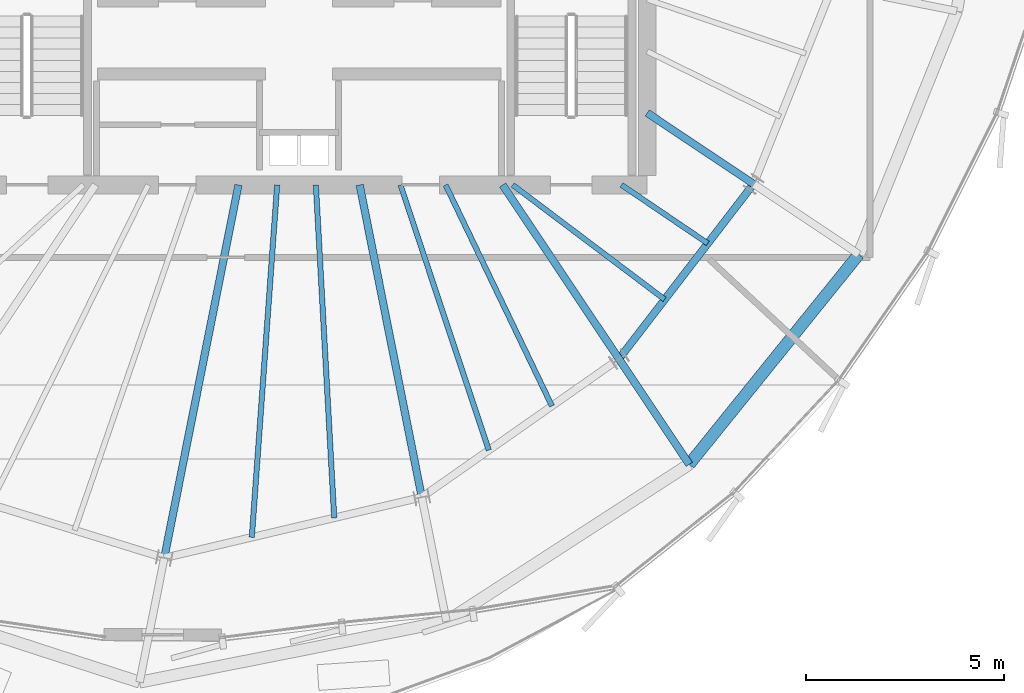
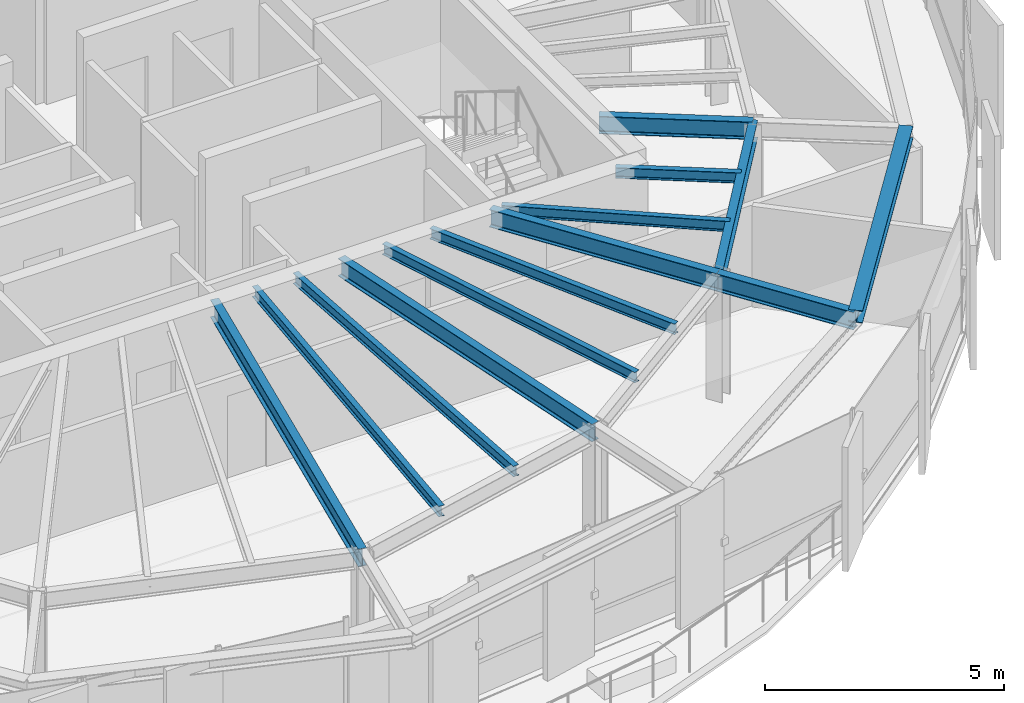
# One storey, part 8 of 32: 13 beams.
"""IFC4 building model written with IfcOpenShell, lengths in metres."""

from ifc_helpers import new_model, si_unit, direction, frame, origin, origin_2d, place, context, subcontext, project, spatial, i_section, extrude, source, transform, mapped, material, material_profile, profile_set, type_object, element, save


model = new_model("IFC4")

# Units and contexts
model_context = context("Model", 3, precision=1e-05, world=origin(), true_north=direction((0.0, 1.0)))
body_context = subcontext(model_context, "Body", "Model", "MODEL_VIEW")
ifc_project = project(units=[si_unit("LENGTHUNIT", "METRE"), si_unit("AREAUNIT", "SQUARE_METRE"), si_unit("VOLUMEUNIT", "CUBIC_METRE"), si_unit("PLANEANGLEUNIT", "RADIAN"), si_unit("MASSUNIT", "GRAM", prefix="KILO"), si_unit("THERMODYNAMICTEMPERATUREUNIT", "KELVIN")], contexts=[model_context])

# Site, building, storey
site_placement = place(None, origin())
site = spatial("IfcSite", under=ifc_project, at=site_placement, CompositionType="ELEMENT")
building_placement = place(site_placement, origin())
building = spatial("IfcBuilding", under=site, at=building_placement, Name="Kethvar Cultural Tower", CompositionType="ELEMENT")
storey_placement = place(building_placement, frame((0.0, 0.0, 273.25)))
storey = spatial("IfcBuildingStorey", under=building, at=storey_placement, Name="L72", CompositionType="ELEMENT", Elevation=273.25)

# Beams
ifc_material = material(Name="Steel S355J2", Category="steel")
ifc_material_profile_1 = material_profile(ifc_material, i_section(OverallWidth=0.18994140625, OverallDepth=0.449951171875, WebThickness=0.009521484375, FlangeThickness=0.0146484375, FilletRadius=0.02099609375, at=origin_2d()), Name="Steel S355J2 — IPE450")
ifc_profile_set_1 = profile_set([ifc_material_profile_1], Name="Steel S355J2 — IPE450")
beam_type_1 = type_object("IfcBeamType", Name="BM-IPE450", PredefinedType="BEAM", material=ifc_profile_set_1)
shared_shape_1 = source(origin(), body_context, "Body", "SweptSolid", [
    extrude(i_section(OverallWidth=0.18994140625, OverallDepth=0.449951171875, WebThickness=0.009521484375, FlangeThickness=0.0146484375, FilletRadius=0.02099609375, at=origin_2d()), origin(), (0.0, 0.0, 1.0), 3.199951171875),
])
beam_1_placement = place(storey_placement, frame((54.885009765625, 15.7001953125, 2.98291015625), z_axis=(0.555492222339, -0.83152173208, 0.0), x_axis=(0.83152173208, 0.555492222339, 0.0)))
element("IfcBeam", 1, at=beam_1_placement, inside=storey, type_object=beam_type_1, Name="L72 Perimeter Cantilever Beam RC-14", PredefinedType="BEAM", context=body_context, shape_type="MappedRepresentation", body=[
    mapped(shared_shape_1, transform((0.0, 0.0, 0.0), scale=1.0)),
])
shared_shape_2 = source(origin(), body_context, "Body", "SweptSolid", [
    extrude(i_section(OverallWidth=0.18994140625, OverallDepth=0.449951171875, WebThickness=0.009521484375, FlangeThickness=0.0146484375, FilletRadius=0.02099609375, at=origin_2d()), origin(), (0.0, 0.0, 1.0), 9.613525390625),
])
beam_2_placement = place(storey_placement, frame((45.268310546875, 20.10009765625, 2.98291015625), z_axis=(-0.195090428816, -0.980785259159, 0.0), x_axis=(0.980785259159, -0.195090428816, 0.0)))
element("IfcBeam", 2, at=beam_2_placement, inside=storey, type_object=beam_type_1, Name="L72 Primary Radial Beam RB-12", PredefinedType="BEAM", context=body_context, shape_type="MappedRepresentation", body=[
    mapped(shared_shape_2, transform((0.0, 0.0, 0.0), scale=1.0)),
])
shared_shape_3 = source(origin(), body_context, "Body", "SweptSolid", [
    extrude(i_section(OverallWidth=0.18994140625, OverallDepth=0.449951171875, WebThickness=0.009521484375, FlangeThickness=0.0146484375, FilletRadius=0.02099609375, at=origin_2d()), origin(), (0.0, 0.0, 1.0), 8.0478515625),
])
beam_3_placement = place(storey_placement, frame((48.33154296875, 20.10009765625, 2.98291015625), z_axis=(0.195089278796, -0.980785487912, 0.0), x_axis=(0.980785487912, 0.195089278796, 0.0)))
element("IfcBeam", 3, at=beam_3_placement, inside=storey, type_object=beam_type_1, Name="L72 Primary Radial Beam RB-13", PredefinedType="BEAM", context=body_context, shape_type="MappedRepresentation", body=[
    mapped(shared_shape_3, transform((0.0, 0.0, 0.0), scale=1.0)),
])
shared_shape_4 = source(origin(), body_context, "Body", "SweptSolid", [
    extrude(i_section(OverallWidth=0.18994140625, OverallDepth=0.449951171875, WebThickness=0.009521484375, FlangeThickness=0.0146484375, FilletRadius=0.02099609375, at=origin_2d()), origin(), (0.0, 0.0, 1.0), 5.291748046875),
])
beam_4_placement = place(storey_placement, frame((51.945068359375, 20.10009765625, 2.98291015625), z_axis=(0.555572931011, -0.831467809556, 0.0), x_axis=(0.831467809556, 0.555572931011, 0.0)))
element("IfcBeam", 4, at=beam_4_placement, inside=storey, type_object=beam_type_1, Name="L72 Primary Radial Beam RB-14", PredefinedType="BEAM", context=body_context, shape_type="MappedRepresentation", body=[
    mapped(shared_shape_4, transform((0.0, 0.0, 0.0), scale=1.0)),
])
shared_shape_5 = source(origin(), body_context, "Body", "SweptSolid", [
    extrude(i_section(OverallWidth=0.18994140625, OverallDepth=0.449951171875, WebThickness=0.009521484375, FlangeThickness=0.0146484375, FilletRadius=0.02099609375, at=origin_2d()), origin(), (0.0, 0.0, 1.0), 3.231689453125),
])
beam_5_placement = place(storey_placement, frame((55.60009765625, 21.919921875, 2.98291015625), z_axis=(0.831468708055, -0.55557158632, 0.0), x_axis=(0.55557158632, 0.831468708055, 0.0)))
element("IfcBeam", 5, at=beam_5_placement, inside=storey, type_object=beam_type_1, Name="L72 Primary Radial Beam RB-15", PredefinedType="BEAM", context=body_context, shape_type="MappedRepresentation", body=[
    mapped(shared_shape_5, transform((0.0, 0.0, 0.0), scale=1.0)),
])
ifc_material_profile_2 = material_profile(ifc_material, i_section(OverallWidth=0.135009765625, OverallDepth=0.27001953125, WebThickness=0.006591796875, FlangeThickness=0.01025390625, FilletRadius=0.014892578125, at=origin_2d()), Name="Steel S355J2 — IPE270")
ifc_profile_set_2 = profile_set([ifc_material_profile_2], Name="Steel S355J2 — IPE270")
beam_type_2 = type_object("IfcBeamType", Name="BM-J270", PredefinedType="JOIST", material=ifc_profile_set_2)
shared_shape_6 = source(origin(), body_context, "Body", "SweptSolid", [
    extrude(i_section(OverallWidth=0.135009765625, OverallDepth=0.27001953125, WebThickness=0.006591796875, FlangeThickness=0.01025390625, FilletRadius=0.014892578125, at=origin_2d()), origin(), (0.0, 0.0, 1.0), 8.9296875),
])
beam_6_placement = place(storey_placement, frame((46.246337890625, 20.10009765625, 3.072998046875), z_axis=(-0.071713352262, -0.99742528297, 0.0), x_axis=(0.99742528297, -0.071713352262, 0.0)))
element("IfcBeam", 6, at=beam_6_placement, inside=storey, type_object=beam_type_2, Name="L72 Composite Floor Joist J-12A", PredefinedType="JOIST", context=body_context, shape_type="MappedRepresentation", body=[
    mapped(shared_shape_6, transform((0.0, 0.0, 0.0), scale=1.0)),
])
shared_shape_7 = source(origin(), body_context, "Body", "SweptSolid", [
    extrude(i_section(OverallWidth=0.135009765625, OverallDepth=0.27001953125, WebThickness=0.006591796875, FlangeThickness=0.01025390625, FilletRadius=0.014892578125, at=origin_2d()), origin(), (0.0, 0.0, 1.0), 8.427978515625),
])
beam_7_placement = place(storey_placement, frame((47.224609375, 20.10009765625, 3.072998046875), z_axis=(0.055067321535, -0.998482643865, 0.0), x_axis=(0.998482643865, 0.055067321535, 0.0)))
element("IfcBeam", 7, at=beam_7_placement, inside=storey, type_object=beam_type_2, Name="L72 Composite Floor Joist J-12B", PredefinedType="JOIST", context=body_context, shape_type="MappedRepresentation", body=[
    mapped(shared_shape_7, transform((0.0, 0.0, 0.0), scale=1.0)),
])
shared_shape_8 = source(origin(), body_context, "Body", "SweptSolid", [
    extrude(i_section(OverallWidth=0.135009765625, OverallDepth=0.27001953125, WebThickness=0.006591796875, FlangeThickness=0.01025390625, FilletRadius=0.014892578125, at=origin_2d()), origin(), (0.0, 0.0, 1.0), 7.0673828125),
])
beam_8_placement = place(storey_placement, frame((49.363525390625, 20.10009765625, 3.072998046875), z_axis=(0.315875389768, -0.948800684095, 0.0), x_axis=(0.948800684095, 0.315875389768, 0.0)))
element("IfcBeam", 8, at=beam_8_placement, inside=storey, type_object=beam_type_2, Name="L72 Composite Floor Joist J-13A", PredefinedType="JOIST", context=body_context, shape_type="MappedRepresentation", body=[
    mapped(shared_shape_8, transform((0.0, 0.0, 0.0), scale=1.0)),
])
shared_shape_9 = source(origin(), body_context, "Body", "SweptSolid", [
    extrude(i_section(OverallWidth=0.135009765625, OverallDepth=0.27001953125, WebThickness=0.006591796875, FlangeThickness=0.01025390625, FilletRadius=0.014892578125, at=origin_2d()), origin(), (0.0, 0.0, 1.0), 6.2001953125),
])
beam_9_placement = place(storey_placement, frame((50.50341796875, 20.10009765625, 3.072998046875), z_axis=(0.433410678328, -0.901196529017, 0.0), x_axis=(0.901196529017, 0.433410678328, 0.0)))
element("IfcBeam", 9, at=beam_9_placement, inside=storey, type_object=beam_type_2, Name="L72 Composite Floor Joist J-13B", PredefinedType="JOIST", context=body_context, shape_type="MappedRepresentation", body=[
    mapped(shared_shape_9, transform((0.0, 0.0, 0.0), scale=1.0)),
])
shared_shape_10 = source(origin(), body_context, "Body", "SweptSolid", [
    extrude(i_section(OverallWidth=0.18994140625, OverallDepth=0.449951171875, WebThickness=0.009521484375, FlangeThickness=0.0146484375, FilletRadius=0.02099609375, at=origin_2d()), origin(), (0.0, 0.0, 1.0), 5.5810546875),
])
beam_10_placement = place(storey_placement, frame((54.885009765625, 15.7001953125, 2.98291015625), z_axis=(0.60957334008, 0.79272967843, 0.0), x_axis=(-0.79272967843, 0.60957334008, 0.0)))
element("IfcBeam", 10, at=beam_10_placement, inside=storey, type_object=beam_type_1, Name="L72 Column Ring Tie Beam CR-14", PredefinedType="BEAM", context=body_context, shape_type="MappedRepresentation", body=[
    mapped(shared_shape_10, transform((0.0, 0.0, 0.0), scale=1.0)),
])
ifc_material_profile_3 = material_profile(ifc_material, i_section(OverallWidth=0.300048828125, OverallDepth=0.320068359375, WebThickness=0.011474609375, FlangeThickness=0.0205078125, FilletRadius=0.027099609375, at=origin_2d()), Name="Steel S355J2 — HEB320")
ifc_profile_set_3 = profile_set([ifc_material_profile_3], Name="Steel S355J2 — HEB320")
beam_type_3 = type_object("IfcBeamType", Name="BM-SP320", PredefinedType="SPANDREL", material=ifc_profile_set_3)
shared_shape_11 = source(origin(), body_context, "Body", "SweptSolid", [
    extrude(i_section(OverallWidth=0.300048828125, OverallDepth=0.320068359375, WebThickness=0.011474609375, FlangeThickness=0.0205078125, FilletRadius=0.027099609375, at=origin_2d()), origin(), (0.0, 0.0, 1.0), 6.8212890625),
])
beam_11_placement = place(storey_placement, frame((56.66259765625, 13.039306640625, 3.048095703125), z_axis=(0.628197971595, 0.778053538315, 0.0), x_axis=(-0.778053538315, 0.628197971595, 0.0)))
element("IfcBeam", 11, at=beam_11_placement, inside=storey, type_object=beam_type_3, Name="L72 Perimeter Spandrel Beam SP-14", PredefinedType="SPANDREL", context=body_context, shape_type="MappedRepresentation", body=[
    mapped(shared_shape_11, transform((0.0, 0.0, 0.0), scale=1.0)),
])
shared_shape_12 = source(origin(), body_context, "Body", "SweptSolid", [
    extrude(i_section(OverallWidth=0.135009765625, OverallDepth=0.27001953125, WebThickness=0.006591796875, FlangeThickness=0.01025390625, FilletRadius=0.014892578125, at=origin_2d()), origin(), (0.0, 0.0, 1.0), 4.810791015625),
])
beam_12_placement = place(storey_placement, frame((52.199951171875, 20.10009765625, 3.072998046875), z_axis=(0.798542152732, -0.601938892505, 0.0), x_axis=(0.601938892505, 0.798542152732, 0.0)))
element("IfcBeam", 12, at=beam_12_placement, inside=storey, type_object=beam_type_2, Name="L72 Composite Floor Joist J-14A", PredefinedType="JOIST", context=body_context, shape_type="MappedRepresentation", body=[
    mapped(shared_shape_12, transform((0.0, 0.0, 0.0), scale=1.0)),
])
shared_shape_13 = source(origin(), body_context, "Body", "SweptSolid", [
    extrude(i_section(OverallWidth=0.135009765625, OverallDepth=0.27001953125, WebThickness=0.006591796875, FlangeThickness=0.01025390625, FilletRadius=0.014892578125, at=origin_2d()), origin(), (0.0, 0.0, 1.0), 2.635009765625),
])
beam_13_placement = place(storey_placement, frame((54.949951171875, 20.10009765625, 3.072998046875), z_axis=(0.827446562598, -0.561544464887, 0.0), x_axis=(0.561544464887, 0.827446562598, 0.0)))
element("IfcBeam", 13, at=beam_13_placement, inside=storey, type_object=beam_type_2, Name="L72 Composite Floor Joist J-14B", PredefinedType="JOIST", context=body_context, shape_type="MappedRepresentation", body=[
    mapped(shared_shape_13, transform((0.0, 0.0, 0.0), scale=1.0)),
])

save(model, "model.ifc")
